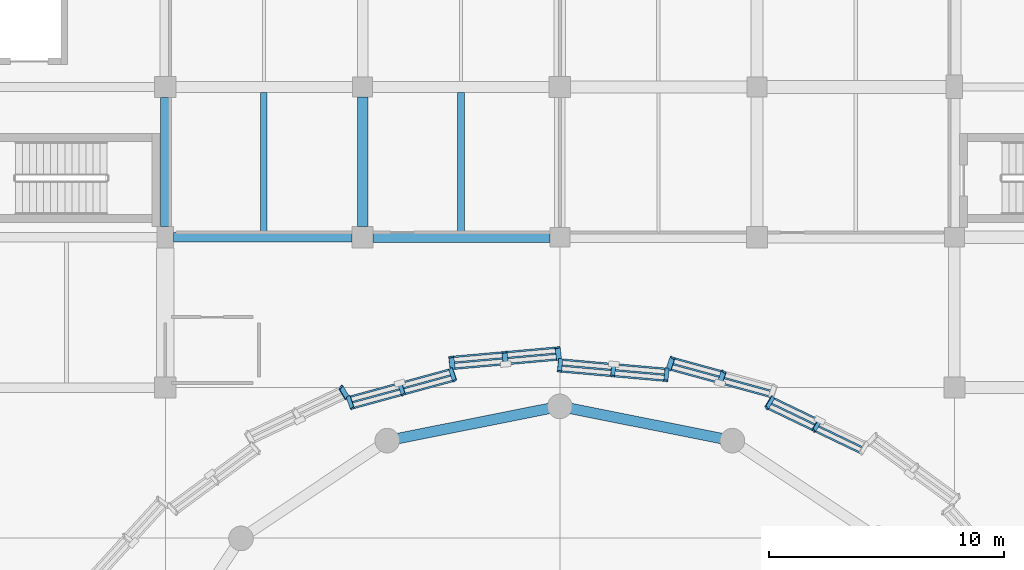
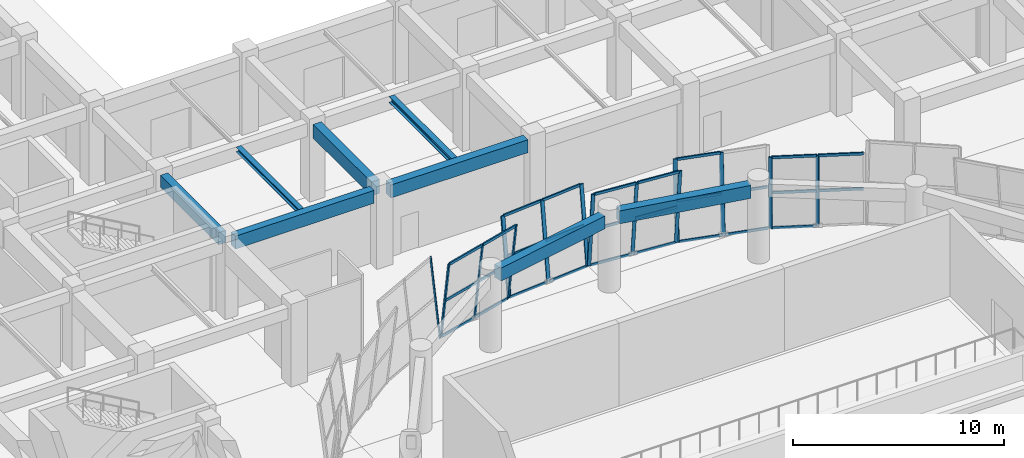
# One storey, part 32 of 72: 42 members, 8 beams, 6 elements without a shape of their own.
"""IFC4 building model written with IfcOpenShell, lengths in metres."""

from ifc_helpers import new_model, si_unit, direction, frame, origin, origin_2d, place, context, subcontext, project, spatial, rectangle, hollow_rectangle, i_section, extrude, material, material_profile, profile_set, type_object, element, aggregate, save


model = new_model("IFC4")

# Units and contexts
model_context = context("Model", 3, precision=1e-05, world=origin(), true_north=direction((0.0, 1.0)))
body_context = subcontext(model_context, "Body", "Model", "MODEL_VIEW")
ifc_project = project(units=[si_unit("LENGTHUNIT", "METRE"), si_unit("AREAUNIT", "SQUARE_METRE"), si_unit("VOLUMEUNIT", "CUBIC_METRE"), si_unit("PLANEANGLEUNIT", "RADIAN"), si_unit("MASSUNIT", "GRAM", prefix="KILO")], contexts=[model_context])

# Site, building, storey
site_placement = place(None, origin())
site = spatial("IfcSite", under=ifc_project, at=site_placement, CompositionType="ELEMENT")
building_placement = place(site_placement, origin())
building = spatial("IfcBuilding", under=site, at=building_placement, Name="Korsvaeld Concert Hall", CompositionType="ELEMENT")
storey_placement = place(building_placement, origin())
storey = spatial("IfcBuildingStorey", under=building, at=storey_placement, Name="L00", CompositionType="ELEMENT", Elevation=0.0)

# Beams
ifc_material_1 = material(Name="Concrete C35/45", Category="concrete")
ifc_material_profile_1 = material_profile(ifc_material_1, rectangle(XDim=0.39990234375, YDim=0.699951171875, at=origin_2d()), Name="RC 400x700")
ifc_profile_set_1 = profile_set([ifc_material_profile_1], Name="Concrete C35/45")
beam_type_1 = type_object("IfcBeamType", Name="BM-RC-400x700", PredefinedType="T_BEAM", material=ifc_profile_set_1)
beam_1_placement = place(storey_placement, frame((67.199951171875, 90.050048828125, 4.090087890625), z_axis=(0.0, 1.0, 0.0), x_axis=(-1.0, 0.0, 0.0)))
element("IfcBeam", 1, at=beam_1_placement, inside=storey, type_object=beam_type_1, Name="Primary girder 10/N-P L00", PredefinedType="T_BEAM", context=body_context, shape_type="SweptSolid", body=[
    extrude(rectangle(XDim=0.39990234375, YDim=0.699951171875, at=origin_2d()), origin(), (0.0, 0.0, 1.0), 5.5),
])
ifc_material_profile_2 = material_profile(ifc_material_1, rectangle(XDim=0.39990234375, YDim=0.75, at=origin_2d()), Name="RC 400x750")
ifc_profile_set_2 = profile_set([ifc_material_profile_2], Name="Concrete C35/45")
beam_type_2 = type_object("IfcBeamType", Name="BM-RC-400x750", PredefinedType="T_BEAM", material=ifc_profile_set_2)
beam_2_placement = place(storey_placement, frame((67.550048828125, 89.60009765625, 4.06494140625), z_axis=(1.0, 0.0, 0.0), x_axis=(0.0, 1.0, 0.0)))
element("IfcBeam", 2, at=beam_2_placement, inside=storey, type_object=beam_type_2, Name="Primary girder 10-11/N L00", PredefinedType="T_BEAM", context=body_context, shape_type="SweptSolid", body=[
    extrude(rectangle(XDim=0.39990234375, YDim=0.75, at=origin_2d()), origin(), (0.0, 0.0, 1.0), 7.599853515625),
])
ifc_material_profile_3 = material_profile(ifc_material_1, rectangle(XDim=0.449951171875, YDim=0.75, at=origin_2d()), Name="RC 450x750")
ifc_profile_set_3 = profile_set([ifc_material_profile_3], Name="Concrete C35/45")
beam_type_3 = type_object("IfcBeamType", Name="BM-RC-450x750", PredefinedType="T_BEAM", material=ifc_profile_set_3)
beam_3_placement = place(storey_placement, frame((76.050048828125, 89.60009765625, 4.06494140625), z_axis=(1.0, 0.0, 0.0), x_axis=(0.0, 1.0, 0.0)))
element("IfcBeam", 3, at=beam_3_placement, inside=storey, type_object=beam_type_3, Name="Primary girder 11-12/N L00", PredefinedType="T_BEAM", context=body_context, shape_type="SweptSolid", body=[
    extrude(rectangle(XDim=0.449951171875, YDim=0.75, at=origin_2d()), origin(), (0.0, 0.0, 1.0), 7.52490234375),
])
for number, where, z_axis, x_axis, name in (
    (4, (90.906005859375, 81.0263671875, 4.06494140625), (-0.980785284484, 0.195090301499, 0.0), (-0.195090301499, -0.980785284484, 0.0), "Drum ring floor girder L00 04"),
    (5, (83.55859375, 82.312255859375, 4.06494140625), (-0.980785284484, -0.195090301499, 0.0), (0.195090301499, -0.980785284484, 0.0), "Drum ring floor girder L00 05"),
):
    element("IfcBeam", number, at=place(storey_placement, frame(where, z_axis=z_axis, x_axis=x_axis)), inside=storey, type_object=beam_type_3, Name=name, PredefinedType="T_BEAM", context=body_context, shape_type="SweptSolid", body=[
        extrude(rectangle(XDim=0.449951171875, YDim=0.75, at=origin_2d()), origin(), (0.0, 0.0, 1.0), 6.59130859375),
    ])
ifc_material_profile_4 = material_profile(ifc_material_1, rectangle(XDim=0.449951171875, YDim=0.800048828125, at=origin_2d()), Name="RC 450x800")
ifc_profile_set_4 = profile_set([ifc_material_profile_4], Name="Concrete C35/45")
beam_type_4 = type_object("IfcBeamType", Name="BM-RC-450x800", PredefinedType="T_BEAM", material=ifc_profile_set_4)
beam_4_placement = place(storey_placement, frame((75.60009765625, 90.050048828125, 4.0400390625), z_axis=(0.0, 1.0, 0.0), x_axis=(-1.0, 0.0, 0.0)))
element("IfcBeam", 6, at=beam_4_placement, inside=storey, type_object=beam_type_4, Name="Primary girder 11/N-P L00", PredefinedType="T_BEAM", context=body_context, shape_type="SweptSolid", body=[
    extrude(rectangle(XDim=0.449951171875, YDim=0.800048828125, at=origin_2d()), origin(), (0.0, 0.0, 1.0), 5.52490234375),
])
ifc_material_2 = material(Name="Steel S355J2", Category="steel")
ifc_material_profile_5 = material_profile(ifc_material_2, i_section(OverallWidth=0.280029296875, OverallDepth=0.27001953125, WebThickness=0.008056640625, FlangeThickness=0.012939453125, FilletRadius=0.02392578125, at=origin_2d()), Name="HEA 280")
ifc_profile_set_5 = profile_set([ifc_material_profile_5], Name="Steel S355J2")
beam_type_5 = type_object("IfcBeamType", Name="BM-STL-HEA280", PredefinedType="BEAM", material=ifc_profile_set_5)
beam_5_placement = place(storey_placement, frame((71.39990234375, 89.800048828125, 4.304931640625), z_axis=(0.0, 1.0, 0.0), x_axis=(-1.0, 0.0, 0.0)))
element("IfcBeam", 7, at=beam_5_placement, inside=storey, type_object=beam_type_5, Name="Secondary steel floor beam 10-11/N L00", PredefinedType="BEAM", context=body_context, shape_type="SweptSolid", body=[
    extrude(i_section(OverallWidth=0.280029296875, OverallDepth=0.27001953125, WebThickness=0.008056640625, FlangeThickness=0.012939453125, FilletRadius=0.02392578125, at=origin_2d()), origin(), (0.0, 0.0, 1.0), 5.974853515625),
])
ifc_material_profile_6 = material_profile(ifc_material_2, i_section(OverallWidth=0.300048828125, OverallDepth=0.35009765625, WebThickness=0.010009765625, FlangeThickness=0.017578125, FilletRadius=0.027099609375, at=origin_2d()), Name="HEA 360")
ifc_profile_set_6 = profile_set([ifc_material_profile_6], Name="Steel S355J2")
beam_type_6 = type_object("IfcBeamType", Name="BM-STL-HEA360", PredefinedType="BEAM", material=ifc_profile_set_6)
beam_6_placement = place(storey_placement, frame((79.800048828125, 89.824951171875, 4.264892578125), z_axis=(0.0, 1.0, 0.0), x_axis=(-1.0, 0.0, 0.0)))
element("IfcBeam", 8, at=beam_6_placement, inside=storey, type_object=beam_type_6, Name="Secondary steel floor beam 11-12/N L00", PredefinedType="BEAM", context=body_context, shape_type="SweptSolid", body=[
    extrude(i_section(OverallWidth=0.300048828125, OverallDepth=0.35009765625, WebThickness=0.010009765625, FlangeThickness=0.017578125, FilletRadius=0.027099609375, at=origin_2d()), origin(), (0.0, 0.0, 1.0), 5.949951171875),
])

# Curtain wall, members
ifc_material_3 = material(Name="Anodised bronze and ceramic-fritted safety glass", Category="glass")
curtain_wall_type_1 = type_object("IfcCurtainWallType", Name="CW-TYPE-06", PredefinedType="USERDEFINED", material=ifc_material_3)
curtain_wall_1_placement = place(storey_placement, origin())
curtain_wall_1 = element("IfcCurtainWall", 9, at=curtain_wall_1_placement, inside=storey, type_object=curtain_wall_type_1, Name="Crystal curtain-wall facet L00 F06", ObjectType="CURTAIN WALL", PredefinedType="USERDEFINED")
ifc_material_4 = material(Name="Anodised architectural bronze aluminium", Category="aluminium")
ifc_material_profile_7 = material_profile(ifc_material_4, hollow_rectangle(XDim=0.074951171875, YDim=0.179931640625, WallThickness=0.0048828125, at=origin_2d()), Name="CWM 180x75x5")
ifc_profile_set_7 = profile_set([ifc_material_profile_7], Name="Anodised architectural bronze aluminium")
member_type_1 = type_object("IfcMemberType", Name="CWM-BRONZE-180x75", PredefinedType="MULLION", material=ifc_profile_set_7)
member_1_placement = place(storey_placement, frame((95.0712890625, 81.806640625, 0.0), z_axis=(-0.057881883309, -0.097245895625, 0.993575826683), x_axis=(-0.830039893738, -0.548293630811, -0.102018964978)))
member_1 = element("IfcMember", 10, at=member_1_placement, type_object=member_type_1, Name="CW-CRYS-L00-F06 crystal mullion 2", PredefinedType="MULLION", context=body_context, shape_type="SweptSolid", body=[
    extrude(hollow_rectangle(XDim=0.074951171875, YDim=0.179931640625, WallThickness=0.0048828125, at=origin_2d()), origin(), (0.0, 0.0, 1.0), 4.509033203125),
])
member_2_placement = place(storey_placement, frame((93.065185546875, 82.77001953125, 0.0), z_axis=(-0.057881578452, -0.097299528979, 0.993570593635), x_axis=(-0.829903337454, -0.548492598396, -0.102060374227)))
member_2 = element("IfcMember", 11, at=member_2_placement, type_object=member_type_1, Name="CW-CRYS-L00-F06 crystal mullion 3", PredefinedType="MULLION", context=body_context, shape_type="SweptSolid", body=[
    extrude(hollow_rectangle(XDim=0.074951171875, YDim=0.179931640625, WallThickness=0.0048828125, at=origin_2d()), origin(), (0.0, 0.0, 1.0), 4.509033203125),
])

curtain_wall_type_2 = type_object("IfcCurtainWallType", Name="CW-TYPE-08", PredefinedType="USERDEFINED", material=ifc_material_3)
curtain_wall_2_placement = place(storey_placement, origin())
curtain_wall_2 = element("IfcCurtainWall", 12, at=curtain_wall_2_placement, inside=storey, type_object=curtain_wall_type_2, Name="Crystal curtain-wall facet L00 F08", ObjectType="CURTAIN WALL", PredefinedType="USERDEFINED")
member_3_placement = place(storey_placement, frame((88.566650390625, 83.995849609375, 0.0), z_axis=(-0.012291079238, -0.112514813463, 0.993574026493), x_axis=(-0.195096578043, -0.974282401247, -0.112743637766)))
member_3 = element("IfcMember", 13, at=member_3_placement, type_object=member_type_1, Name="CW-CRYS-L00-F08 crystal mullion 1", PredefinedType="MULLION", context=body_context, shape_type="SweptSolid", body=[
    extrude(hollow_rectangle(XDim=0.074951171875, YDim=0.179931640625, WallThickness=0.0048828125, at=origin_2d()), origin(), (0.0, 0.0, 1.0), 4.509033203125),
])
member_4_placement = place(storey_placement, frame((86.302001953125, 84.1962890625, 0.0), z_axis=(-0.012345216727, -0.112514738419, 0.993573363805), x_axis=(-0.195559786673, -0.974188860207, -0.112749432309)))
member_4 = element("IfcMember", 14, at=member_4_placement, type_object=member_type_1, Name="CW-CRYS-L00-F08 crystal mullion 2", PredefinedType="MULLION", context=body_context, shape_type="SweptSolid", body=[
    extrude(hollow_rectangle(XDim=0.074951171875, YDim=0.179931640625, WallThickness=0.0048828125, at=origin_2d()), origin(), (0.0, 0.0, 1.0), 4.509033203125),
])
member_5_placement = place(storey_placement, frame((84.037353515625, 84.396728515625, 0.0), z_axis=(-0.012345216727, -0.112514738419, 0.993573363805), x_axis=(-0.195559786673, -0.974188860207, -0.112749432309)))
member_5 = element("IfcMember", 15, at=member_5_placement, type_object=member_type_1, Name="CW-CRYS-L00-F08 crystal mullion 3", PredefinedType="MULLION", context=body_context, shape_type="SweptSolid", body=[
    extrude(hollow_rectangle(XDim=0.074951171875, YDim=0.179931640625, WallThickness=0.0048828125, at=origin_2d()), origin(), (0.0, 0.0, 1.0), 4.509033203125),
])

curtain_wall_type_3 = type_object("IfcCurtainWallType", Name="CW-TYPE-02", PredefinedType="USERDEFINED", material=ifc_material_3)
curtain_wall_3_placement = place(storey_placement, origin())
curtain_wall_3 = element("IfcCurtainWall", 16, at=curtain_wall_3_placement, inside=storey, type_object=curtain_wall_type_3, Name="Crystal curtain-wall facet L00 F10", ObjectType="CURTAIN WALL", PredefinedType="USERDEFINED")
member_6_placement = place(storey_placement, frame((79.359619140625, 83.982666015625, 0.0), z_axis=(0.036223366426, -0.107262315231, 0.993570663544), x_axis=(0.555805308388, -0.824105020106, -0.109230833577)))
member_6 = element("IfcMember", 17, at=member_6_placement, type_object=member_type_1, Name="CW-CRYS-L00-F10 crystal mullion 1", PredefinedType="MULLION", context=body_context, shape_type="SweptSolid", body=[
    extrude(hollow_rectangle(XDim=0.074951171875, YDim=0.179931640625, WallThickness=0.0048828125, at=origin_2d()), origin(), (0.0, 0.0, 1.0), 4.509033203125),
])
member_7_placement = place(storey_placement, frame((77.182373046875, 83.389404296875, 0.0), z_axis=(0.036223366426, -0.107262315231, 0.993570663544), x_axis=(0.555805308388, -0.824105020106, -0.109230833577)))
member_7 = element("IfcMember", 18, at=member_7_placement, type_object=member_type_1, Name="CW-CRYS-L00-F10 crystal mullion 2", PredefinedType="MULLION", context=body_context, shape_type="SweptSolid", body=[
    extrude(hollow_rectangle(XDim=0.074951171875, YDim=0.179931640625, WallThickness=0.0048828125, at=origin_2d()), origin(), (0.0, 0.0, 1.0), 4.509033203125),
])
member_8_placement = place(storey_placement, frame((75.0048828125, 82.796142578125, 0.0), z_axis=(0.036223366426, -0.107262315231, 0.993570663544), x_axis=(0.555805308388, -0.824105020106, -0.109230833577)))
member_8 = element("IfcMember", 19, at=member_8_placement, type_object=member_type_1, Name="CW-CRYS-L00-F10 crystal mullion 3", PredefinedType="MULLION", context=body_context, shape_type="SweptSolid", body=[
    extrude(hollow_rectangle(XDim=0.074951171875, YDim=0.179931640625, WallThickness=0.0048828125, at=origin_2d()), origin(), (0.0, 0.0, 1.0), 4.509033203125),
])

curtain_wall_type_4 = type_object("IfcCurtainWallType", Name="CW-TYPE-07", PredefinedType="USERDEFINED", material=ifc_material_3)
curtain_wall_4_placement = place(storey_placement, origin())
curtain_wall_4 = element("IfcCurtainWall", 20, at=curtain_wall_4_placement, inside=storey, type_object=curtain_wall_type_4, Name="Crystal curtain-wall facet L00 F07", ObjectType="CURTAIN WALL", PredefinedType="USERDEFINED")
ifc_material_profile_8 = material_profile(ifc_material_4, hollow_rectangle(XDim=0.074951171875, YDim=0.219970703125, WallThickness=0.006103515625, at=origin_2d()), Name="CWM 220x75x6")
ifc_profile_set_8 = profile_set([ifc_material_profile_8], Name="Anodised architectural bronze aluminium")
member_type_2 = type_object("IfcMemberType", Name="CWM-BRONZE-220x75", PredefinedType="MULLION", material=ifc_profile_set_8)
member_9_placement = place(storey_placement, frame((90.817626953125, 83.389404296875, 0.0), z_axis=(0.036223366426, 0.107262315231, 0.993570663544), x_axis=(0.555805308388, 0.824105020106, -0.109230833577)))
member_9 = element("IfcMember", 21, at=member_9_placement, type_object=member_type_2, Name="CW-CRYS-L00-F07 crystal mullion 2", PredefinedType="MULLION", context=body_context, shape_type="SweptSolid", body=[
    extrude(hollow_rectangle(XDim=0.074951171875, YDim=0.219970703125, WallThickness=0.006103515625, at=origin_2d()), origin(), (0.0, 0.0, 1.0), 4.509033203125),
])
member_10_placement = place(storey_placement, frame((88.640380859375, 83.982666015625, 0.0), z_axis=(0.036223366426, 0.107262315231, 0.993570663544), x_axis=(0.555805308388, 0.824105020106, -0.109230833577)))
member_10 = element("IfcMember", 22, at=member_10_placement, type_object=member_type_2, Name="CW-CRYS-L00-F07 crystal mullion 3", PredefinedType="MULLION", context=body_context, shape_type="SweptSolid", body=[
    extrude(hollow_rectangle(XDim=0.074951171875, YDim=0.219970703125, WallThickness=0.006103515625, at=origin_2d()), origin(), (0.0, 0.0, 1.0), 4.509033203125),
])

curtain_wall_type_5 = type_object("IfcCurtainWallType", Name="CW-TYPE-01", PredefinedType="USERDEFINED", material=ifc_material_3)
curtain_wall_5_placement = place(storey_placement, origin())
curtain_wall_5 = element("IfcCurtainWall", 23, at=curtain_wall_5_placement, inside=storey, type_object=curtain_wall_type_5, Name="Crystal curtain-wall facet L00 F09", ObjectType="CURTAIN WALL", PredefinedType="USERDEFINED")
member_11_placement = place(storey_placement, frame((83.962646484375, 84.396728515625, 0.0), z_axis=(-0.012345216727, 0.112514738419, 0.993573363805), x_axis=(-0.195559786673, 0.974188860207, -0.112749432309)))
member_11 = element("IfcMember", 24, at=member_11_placement, type_object=member_type_2, Name="CW-CRYS-L00-F09 crystal mullion 1", PredefinedType="MULLION", context=body_context, shape_type="SweptSolid", body=[
    extrude(hollow_rectangle(XDim=0.074951171875, YDim=0.219970703125, WallThickness=0.006103515625, at=origin_2d()), origin(), (0.0, 0.0, 1.0), 4.509033203125),
])
member_12_placement = place(storey_placement, frame((81.697998046875, 84.1962890625, 0.0), z_axis=(-0.012345216727, 0.112514738419, 0.993573363805), x_axis=(-0.195559786673, 0.974188860207, -0.112749432309)))
member_12 = element("IfcMember", 25, at=member_12_placement, type_object=member_type_2, Name="CW-CRYS-L00-F09 crystal mullion 2", PredefinedType="MULLION", context=body_context, shape_type="SweptSolid", body=[
    extrude(hollow_rectangle(XDim=0.074951171875, YDim=0.219970703125, WallThickness=0.006103515625, at=origin_2d()), origin(), (0.0, 0.0, 1.0), 4.509033203125),
])
member_13_placement = place(storey_placement, frame((79.433349609375, 83.995849609375, 0.0), z_axis=(-0.012345141501, 0.112568198157, 0.993567309368), x_axis=(-0.195508326657, 0.974193062064, -0.112802358284)))
member_13 = element("IfcMember", 26, at=member_13_placement, type_object=member_type_2, Name="CW-CRYS-L00-F09 crystal mullion 3", PredefinedType="MULLION", context=body_context, shape_type="SweptSolid", body=[
    extrude(hollow_rectangle(XDim=0.074951171875, YDim=0.219970703125, WallThickness=0.006103515625, at=origin_2d()), origin(), (0.0, 0.0, 1.0), 4.509033203125),
])

# Curtain wall, member
curtain_wall_type_6 = type_object("IfcCurtainWallType", Name="CW-TYPE-03", PredefinedType="USERDEFINED", material=ifc_material_3)
curtain_wall_6_placement = place(storey_placement, origin())
curtain_wall_6 = element("IfcCurtainWall", 27, at=curtain_wall_6_placement, inside=storey, type_object=curtain_wall_type_6, Name="Crystal curtain-wall facet L00 F11", ObjectType="CURTAIN WALL", PredefinedType="USERDEFINED")
member_14_placement = place(storey_placement, frame((74.934814453125, 82.77001953125, 0.0), z_axis=(-0.057881578452, 0.097299528979, 0.993570593635), x_axis=(-0.829903337454, 0.548492598396, -0.102060374227)))
member_14 = element("IfcMember", 28, at=member_14_placement, type_object=member_type_2, Name="CW-CRYS-L00-F11 crystal mullion 1", PredefinedType="MULLION", context=body_context, shape_type="SweptSolid", body=[
    extrude(hollow_rectangle(XDim=0.074951171875, YDim=0.219970703125, WallThickness=0.006103515625, at=origin_2d()), origin(), (0.0, 0.0, 1.0), 4.509033203125),
])
aggregate(curtain_wall_6, [member_14])

# Member
ifc_material_profile_9 = material_profile(ifc_material_4, hollow_rectangle(XDim=0.074951171875, YDim=0.14990234375, WallThickness=0.0048828125, at=origin_2d()), Name="CWT 150x75x5")
ifc_profile_set_9 = profile_set([ifc_material_profile_9], Name="Anodised architectural bronze aluminium")
member_type_3 = type_object("IfcMemberType", Name="CWT-BRONZE-150x75", PredefinedType="USERDEFINED", material=ifc_profile_set_9)
member_15_placement = place(storey_placement, frame((96.913330078125, 80.640380859375, 2.239990234375), z_axis=(-0.901508884705, 0.432760592935, 0.0), x_axis=(-0.432760592935, -0.901508884705, 0.0)))
member_15 = element("IfcMember", 29, at=member_15_placement, type_object=member_type_3, Name="CW-CRYS-L00-F06 crystal transom 1.2", ObjectType="TRANSOM", PredefinedType="USERDEFINED", context=body_context, shape_type="SweptSolid", body=[
    extrude(hollow_rectangle(XDim=0.074951171875, YDim=0.14990234375, WallThickness=0.0048828125, at=origin_2d()), origin(), (0.0, 0.0, 1.0), 2.150634765625),
])

member_16_placement = place(storey_placement, frame((96.78466796875, 80.423828125, 4.449951171875), z_axis=(-0.901464591462, 0.432852850679, 0.0), x_axis=(-0.432852850679, -0.901464591462, 0.0)))
member_16 = element("IfcMember", 30, at=member_16_placement, type_object=member_type_3, Name="CW-CRYS-L00-F06 crystal transom 1.3", ObjectType="TRANSOM", PredefinedType="USERDEFINED", context=body_context, shape_type="SweptSolid", body=[
    extrude(hollow_rectangle(XDim=0.074951171875, YDim=0.14990234375, WallThickness=0.0048828125, at=origin_2d()), origin(), (0.0, 0.0, 1.0), 2.150634765625),
])

member_17_placement = place(storey_placement, frame((95.035888671875, 81.820068359375, 0.030029296875), z_axis=(-0.901508884705, 0.432760592935, 0.0), x_axis=(-0.432760592935, -0.901508884705, 0.0)))
member_17 = element("IfcMember", 31, at=member_17_placement, type_object=member_type_3, Name="CW-CRYS-L00-F06 crystal transom 2.1", ObjectType="TRANSOM", PredefinedType="USERDEFINED", context=body_context, shape_type="SweptSolid", body=[
    extrude(hollow_rectangle(XDim=0.074951171875, YDim=0.14990234375, WallThickness=0.0048828125, at=origin_2d()), origin(), (0.0, 0.0, 1.0), 2.150634765625),
])

member_18_placement = place(storey_placement, frame((94.906982421875, 81.603515625, 2.239990234375), z_axis=(-0.901443318855, 0.432897150478, 0.0), x_axis=(-0.432897150478, -0.901443318855, 0.0)))
member_18 = element("IfcMember", 32, at=member_18_placement, type_object=member_type_3, Name="CW-CRYS-L00-F06 crystal transom 2.2", ObjectType="TRANSOM", PredefinedType="USERDEFINED", context=body_context, shape_type="SweptSolid", body=[
    extrude(hollow_rectangle(XDim=0.074951171875, YDim=0.14990234375, WallThickness=0.0048828125, at=origin_2d()), origin(), (0.0, 0.0, 1.0), 2.150390625),
])

member_19_placement = place(storey_placement, frame((94.7783203125, 81.38720703125, 4.449951171875), z_axis=(-0.901464591462, 0.432852850679, 0.0), x_axis=(-0.432852850679, -0.901464591462, 0.0)))
member_19 = element("IfcMember", 33, at=member_19_placement, type_object=member_type_3, Name="CW-CRYS-L00-F06 crystal transom 2.3", ObjectType="TRANSOM", PredefinedType="USERDEFINED", context=body_context, shape_type="SweptSolid", body=[
    extrude(hollow_rectangle(XDim=0.074951171875, YDim=0.14990234375, WallThickness=0.0048828125, at=origin_2d()), origin(), (0.0, 0.0, 1.0), 2.150634765625),
])

aggregate(curtain_wall_1, [member_1, member_2, member_15, member_16, member_17, member_18, member_19])

member_20_placement = place(storey_placement, frame((92.9599609375, 82.80908203125, 0.030029296875), z_axis=(-0.964805126409, 0.262965906641, 0.0), x_axis=(-0.262965906641, -0.964805126409, 0.0)))
member_20 = element("IfcMember", 34, at=member_20_placement, type_object=member_type_3, Name="CW-CRYS-L00-F07 crystal transom 1.1", ObjectType="TRANSOM", PredefinedType="USERDEFINED", context=body_context, shape_type="SweptSolid", body=[
    extrude(hollow_rectangle(XDim=0.074951171875, YDim=0.14990234375, WallThickness=0.0048828125, at=origin_2d()), origin(), (0.0, 0.0, 1.0), 2.181884765625),
])

member_21_placement = place(storey_placement, frame((93.04052734375, 83.047607421875, 2.239990234375), z_axis=(-0.964805126409, 0.262965906641, 0.0), x_axis=(-0.262965906641, -0.964805126409, 0.0)))
member_21 = element("IfcMember", 35, at=member_21_placement, type_object=member_type_3, Name="CW-CRYS-L00-F07 crystal transom 1.2", ObjectType="TRANSOM", PredefinedType="USERDEFINED", context=body_context, shape_type="SweptSolid", body=[
    extrude(hollow_rectangle(XDim=0.074951171875, YDim=0.14990234375, WallThickness=0.0048828125, at=origin_2d()), origin(), (0.0, 0.0, 1.0), 2.181884765625),
])

member_22_placement = place(storey_placement, frame((90.78271484375, 83.402587890625, 0.030029296875), z_axis=(-0.964841242841, 0.262833361873, 0.0), x_axis=(-0.262833361873, -0.964841242841, 0.0)))
member_22 = element("IfcMember", 36, at=member_22_placement, type_object=member_type_3, Name="CW-CRYS-L00-F07 crystal transom 2.1", ObjectType="TRANSOM", PredefinedType="USERDEFINED", context=body_context, shape_type="SweptSolid", body=[
    extrude(hollow_rectangle(XDim=0.074951171875, YDim=0.14990234375, WallThickness=0.0048828125, at=origin_2d()), origin(), (0.0, 0.0, 1.0), 2.181884765625),
])

member_23_placement = place(storey_placement, frame((90.86328125, 83.64111328125, 2.239990234375), z_axis=(-0.964841242841, 0.262833361873, 0.0), x_axis=(-0.262833361873, -0.964841242841, 0.0)))
member_23 = element("IfcMember", 37, at=member_23_placement, type_object=member_type_3, Name="CW-CRYS-L00-F07 crystal transom 2.2", ObjectType="TRANSOM", PredefinedType="USERDEFINED", context=body_context, shape_type="SweptSolid", body=[
    extrude(hollow_rectangle(XDim=0.074951171875, YDim=0.14990234375, WallThickness=0.0048828125, at=origin_2d()), origin(), (0.0, 0.0, 1.0), 2.181884765625),
])

member_24_placement = place(storey_placement, frame((90.94384765625, 83.879638671875, 4.449951171875), z_axis=(-0.964812863187, 0.26293751925, 0.0), x_axis=(-0.26293751925, -0.964812863187, 0.0)))
member_24 = element("IfcMember", 38, at=member_24_placement, type_object=member_type_3, Name="CW-CRYS-L00-F07 crystal transom 2.3", ObjectType="TRANSOM", PredefinedType="USERDEFINED", context=body_context, shape_type="SweptSolid", body=[
    extrude(hollow_rectangle(XDim=0.074951171875, YDim=0.14990234375, WallThickness=0.0048828125, at=origin_2d()), origin(), (0.0, 0.0, 1.0), 2.181884765625),
])

aggregate(curtain_wall_4, [member_9, member_10, member_20, member_21, member_22, member_23, member_24])

member_25_placement = place(storey_placement, frame((88.529052734375, 83.995849609375, 0.030029296875), z_axis=(-0.996105218313, 0.088172524341, 0.0), x_axis=(-0.088172524341, -0.996105218313, 0.0)))
member_25 = element("IfcMember", 39, at=member_25_placement, type_object=member_type_3, Name="CW-CRYS-L00-F08 crystal transom 1.1", ObjectType="TRANSOM", PredefinedType="USERDEFINED", context=body_context, shape_type="SweptSolid", body=[
    extrude(hollow_rectangle(XDim=0.074951171875, YDim=0.14990234375, WallThickness=0.0048828125, at=origin_2d()), origin(), (0.0, 0.0, 1.0), 2.198486328125),
])

member_26_placement = place(storey_placement, frame((88.50146484375, 83.74560546875, 2.239990234375), z_axis=(-0.996114965607, 0.088062337539, 0.0), x_axis=(-0.088062337539, -0.996114965607, 0.0)))
member_26 = element("IfcMember", 40, at=member_26_placement, type_object=member_type_3, Name="CW-CRYS-L00-F08 crystal transom 1.2", ObjectType="TRANSOM", PredefinedType="USERDEFINED", context=body_context, shape_type="SweptSolid", body=[
    extrude(hollow_rectangle(XDim=0.074951171875, YDim=0.14990234375, WallThickness=0.0048828125, at=origin_2d()), origin(), (0.0, 0.0, 1.0), 2.198486328125),
])

member_27_placement = place(storey_placement, frame((88.47412109375, 83.4951171875, 4.449951171875), z_axis=(-0.996105218313, 0.088172524341, 0.0), x_axis=(-0.088172524341, -0.996105218313, 0.0)))
member_27 = element("IfcMember", 41, at=member_27_placement, type_object=member_type_3, Name="CW-CRYS-L00-F08 crystal transom 1.3", ObjectType="TRANSOM", PredefinedType="USERDEFINED", context=body_context, shape_type="SweptSolid", body=[
    extrude(hollow_rectangle(XDim=0.074951171875, YDim=0.14990234375, WallThickness=0.0048828125, at=origin_2d()), origin(), (0.0, 0.0, 1.0), 2.198486328125),
])

member_28_placement = place(storey_placement, frame((86.264404296875, 84.1962890625, 0.030029296875), z_axis=(-0.996115826652, 0.088052597317, 0.0), x_axis=(-0.088052597317, -0.996115826652, 0.0)))
member_28 = element("IfcMember", 42, at=member_28_placement, type_object=member_type_3, Name="CW-CRYS-L00-F08 crystal transom 2.1", ObjectType="TRANSOM", PredefinedType="USERDEFINED", context=body_context, shape_type="SweptSolid", body=[
    extrude(hollow_rectangle(XDim=0.074951171875, YDim=0.14990234375, WallThickness=0.0048828125, at=origin_2d()), origin(), (0.0, 0.0, 1.0), 2.19873046875),
])

member_29_placement = place(storey_placement, frame((86.23681640625, 83.94580078125, 2.239990234375), z_axis=(-0.996105218313, 0.088172524341, 0.0), x_axis=(-0.088172524341, -0.996105218313, 0.0)))
member_29 = element("IfcMember", 43, at=member_29_placement, type_object=member_type_3, Name="CW-CRYS-L00-F08 crystal transom 2.2", ObjectType="TRANSOM", PredefinedType="USERDEFINED", context=body_context, shape_type="SweptSolid", body=[
    extrude(hollow_rectangle(XDim=0.074951171875, YDim=0.14990234375, WallThickness=0.0048828125, at=origin_2d()), origin(), (0.0, 0.0, 1.0), 2.198486328125),
])

member_30_placement = place(storey_placement, frame((86.20947265625, 83.695556640625, 4.449951171875), z_axis=(-0.996105218313, 0.088172524341, 0.0), x_axis=(-0.088172524341, -0.996105218313, 0.0)))
member_30 = element("IfcMember", 44, at=member_30_placement, type_object=member_type_3, Name="CW-CRYS-L00-F08 crystal transom 2.3", ObjectType="TRANSOM", PredefinedType="USERDEFINED", context=body_context, shape_type="SweptSolid", body=[
    extrude(hollow_rectangle(XDim=0.074951171875, YDim=0.14990234375, WallThickness=0.0048828125, at=origin_2d()), origin(), (0.0, 0.0, 1.0), 2.198486328125),
])

aggregate(curtain_wall_2, [member_3, member_4, member_5, member_25, member_26, member_27, member_28, member_29, member_30])

member_31_placement = place(storey_placement, frame((83.9248046875, 84.396728515625, 0.030029296875), z_axis=(-0.996105218313, -0.088172524341, 0.0), x_axis=(0.088172524341, -0.996105218313, 0.0)))
member_31 = element("IfcMember", 45, at=member_31_placement, type_object=member_type_3, Name="CW-CRYS-L00-F09 crystal transom 1.1", ObjectType="TRANSOM", PredefinedType="USERDEFINED", context=body_context, shape_type="SweptSolid", body=[
    extrude(hollow_rectangle(XDim=0.074951171875, YDim=0.14990234375, WallThickness=0.0048828125, at=origin_2d()), origin(), (0.0, 0.0, 1.0), 2.198486328125),
])

member_32_placement = place(storey_placement, frame((83.8974609375, 84.64697265625, 2.239990234375), z_axis=(-0.996114965607, -0.088062337539, 0.0), x_axis=(0.088062337539, -0.996114965607, 0.0)))
member_32 = element("IfcMember", 46, at=member_32_placement, type_object=member_type_3, Name="CW-CRYS-L00-F09 crystal transom 1.2", ObjectType="TRANSOM", PredefinedType="USERDEFINED", context=body_context, shape_type="SweptSolid", body=[
    extrude(hollow_rectangle(XDim=0.074951171875, YDim=0.14990234375, WallThickness=0.0048828125, at=origin_2d()), origin(), (0.0, 0.0, 1.0), 2.198486328125),
])

member_33_placement = place(storey_placement, frame((83.8701171875, 84.8974609375, 4.449951171875), z_axis=(-0.996106081505, -0.088162772123, 0.0), x_axis=(0.088162772123, -0.996106081505, 0.0)))
member_33 = element("IfcMember", 47, at=member_33_placement, type_object=member_type_3, Name="CW-CRYS-L00-F09 crystal transom 1.3", ObjectType="TRANSOM", PredefinedType="USERDEFINED", context=body_context, shape_type="SweptSolid", body=[
    extrude(hollow_rectangle(XDim=0.074951171875, YDim=0.14990234375, WallThickness=0.0048828125, at=origin_2d()), origin(), (0.0, 0.0, 1.0), 2.19873046875),
])

member_34_placement = place(storey_placement, frame((81.66015625, 84.1962890625, 0.030029296875), z_axis=(-0.996114965607, -0.088062337539, 0.0), x_axis=(0.088062337539, -0.996114965607, 0.0)))
member_34 = element("IfcMember", 48, at=member_34_placement, type_object=member_type_3, Name="CW-CRYS-L00-F09 crystal transom 2.1", ObjectType="TRANSOM", PredefinedType="USERDEFINED", context=body_context, shape_type="SweptSolid", body=[
    extrude(hollow_rectangle(XDim=0.074951171875, YDim=0.14990234375, WallThickness=0.0048828125, at=origin_2d()), origin(), (0.0, 0.0, 1.0), 2.198486328125),
])

member_35_placement = place(storey_placement, frame((81.6328125, 84.44677734375, 2.239990234375), z_axis=(-0.996105218313, -0.088172524341, 0.0), x_axis=(0.088172524341, -0.996105218313, 0.0)))
member_35 = element("IfcMember", 49, at=member_35_placement, type_object=member_type_3, Name="CW-CRYS-L00-F09 crystal transom 2.2", ObjectType="TRANSOM", PredefinedType="USERDEFINED", context=body_context, shape_type="SweptSolid", body=[
    extrude(hollow_rectangle(XDim=0.074951171875, YDim=0.14990234375, WallThickness=0.0048828125, at=origin_2d()), origin(), (0.0, 0.0, 1.0), 2.198486328125),
])

member_36_placement = place(storey_placement, frame((81.605224609375, 84.697021484375, 4.449951171875), z_axis=(-0.996105218313, -0.088172524341, 0.0), x_axis=(0.088172524341, -0.996105218313, 0.0)))
member_36 = element("IfcMember", 50, at=member_36_placement, type_object=member_type_3, Name="CW-CRYS-L00-F09 crystal transom 2.3", ObjectType="TRANSOM", PredefinedType="USERDEFINED", context=body_context, shape_type="SweptSolid", body=[
    extrude(hollow_rectangle(XDim=0.074951171875, YDim=0.14990234375, WallThickness=0.0048828125, at=origin_2d()), origin(), (0.0, 0.0, 1.0), 2.198486328125),
])

aggregate(curtain_wall_5, [member_11, member_12, member_13, member_31, member_32, member_33, member_34, member_35, member_36])

member_37_placement = place(storey_placement, frame((79.32470703125, 83.9697265625, 0.030029296875), z_axis=(-0.964812863187, -0.26293751925, 0.0), x_axis=(0.26293751925, -0.964812863187, 0.0)))
member_37 = element("IfcMember", 51, at=member_37_placement, type_object=member_type_3, Name="CW-CRYS-L00-F10 crystal transom 1.1", ObjectType="TRANSOM", PredefinedType="USERDEFINED", context=body_context, shape_type="SweptSolid", body=[
    extrude(hollow_rectangle(XDim=0.074951171875, YDim=0.14990234375, WallThickness=0.0048828125, at=origin_2d()), origin(), (0.0, 0.0, 1.0), 2.181884765625),
])

member_38_placement = place(storey_placement, frame((79.4052734375, 83.731201171875, 2.239990234375), z_axis=(-0.964812863187, -0.26293751925, 0.0), x_axis=(0.26293751925, -0.964812863187, 0.0)))
member_38 = element("IfcMember", 52, at=member_38_placement, type_object=member_type_3, Name="CW-CRYS-L00-F10 crystal transom 1.2", ObjectType="TRANSOM", PredefinedType="USERDEFINED", context=body_context, shape_type="SweptSolid", body=[
    extrude(hollow_rectangle(XDim=0.074951171875, YDim=0.14990234375, WallThickness=0.0048828125, at=origin_2d()), origin(), (0.0, 0.0, 1.0), 2.181884765625),
])

member_39_placement = place(storey_placement, frame((79.48583984375, 83.492431640625, 4.449951171875), z_axis=(-0.964841242841, -0.262833361873, 0.0), x_axis=(0.262833361873, -0.964841242841, 0.0)))
member_39 = element("IfcMember", 53, at=member_39_placement, type_object=member_type_3, Name="CW-CRYS-L00-F10 crystal transom 1.3", ObjectType="TRANSOM", PredefinedType="USERDEFINED", context=body_context, shape_type="SweptSolid", body=[
    extrude(hollow_rectangle(XDim=0.074951171875, YDim=0.14990234375, WallThickness=0.0048828125, at=origin_2d()), origin(), (0.0, 0.0, 1.0), 2.181884765625),
])

member_40_placement = place(storey_placement, frame((77.147216796875, 83.376220703125, 0.030029296875), z_axis=(-0.964833511963, -0.262861739689, 0.0), x_axis=(0.262861739689, -0.964833511963, 0.0)))
member_40 = element("IfcMember", 54, at=member_40_placement, type_object=member_type_3, Name="CW-CRYS-L00-F10 crystal transom 2.1", ObjectType="TRANSOM", PredefinedType="USERDEFINED", context=body_context, shape_type="SweptSolid", body=[
    extrude(hollow_rectangle(XDim=0.074951171875, YDim=0.14990234375, WallThickness=0.0048828125, at=origin_2d()), origin(), (0.0, 0.0, 1.0), 2.181640625),
])

member_41_placement = place(storey_placement, frame((77.227783203125, 83.1376953125, 2.239990234375), z_axis=(-0.964833511963, -0.262861739689, 0.0), x_axis=(0.262861739689, -0.964833511963, 0.0)))
member_41 = element("IfcMember", 55, at=member_41_placement, type_object=member_type_3, Name="CW-CRYS-L00-F10 crystal transom 2.2", ObjectType="TRANSOM", PredefinedType="USERDEFINED", context=body_context, shape_type="SweptSolid", body=[
    extrude(hollow_rectangle(XDim=0.074951171875, YDim=0.14990234375, WallThickness=0.0048828125, at=origin_2d()), origin(), (0.0, 0.0, 1.0), 2.181640625),
])

member_42_placement = place(storey_placement, frame((77.308349609375, 82.899169921875, 4.449951171875), z_axis=(-0.964805126409, -0.262965906641, 0.0), x_axis=(0.262965906641, -0.964805126409, 0.0)))
member_42 = element("IfcMember", 56, at=member_42_placement, type_object=member_type_3, Name="CW-CRYS-L00-F10 crystal transom 2.3", ObjectType="TRANSOM", PredefinedType="USERDEFINED", context=body_context, shape_type="SweptSolid", body=[
    extrude(hollow_rectangle(XDim=0.074951171875, YDim=0.14990234375, WallThickness=0.0048828125, at=origin_2d()), origin(), (0.0, 0.0, 1.0), 2.181884765625),
])

aggregate(curtain_wall_3, [member_6, member_7, member_8, member_37, member_38, member_39, member_40, member_41, member_42])

save(model, "model.ifc")
